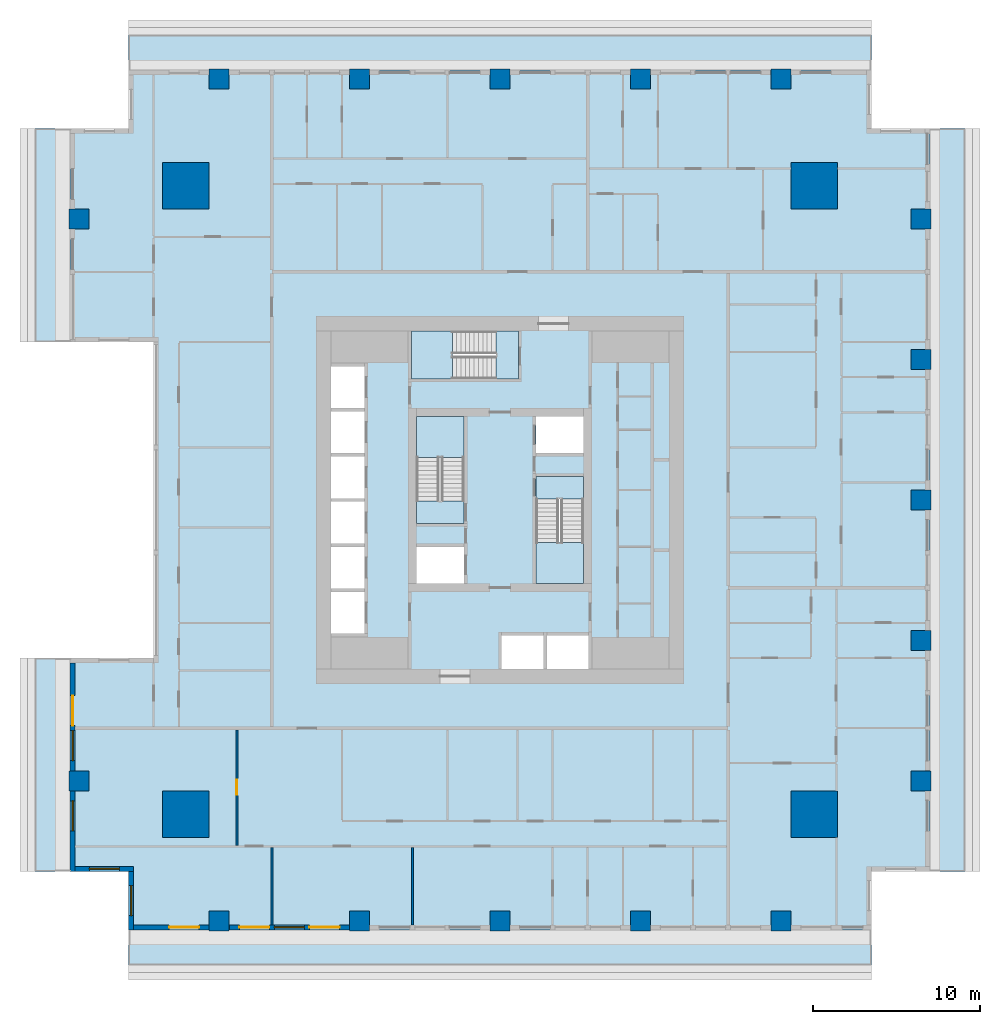
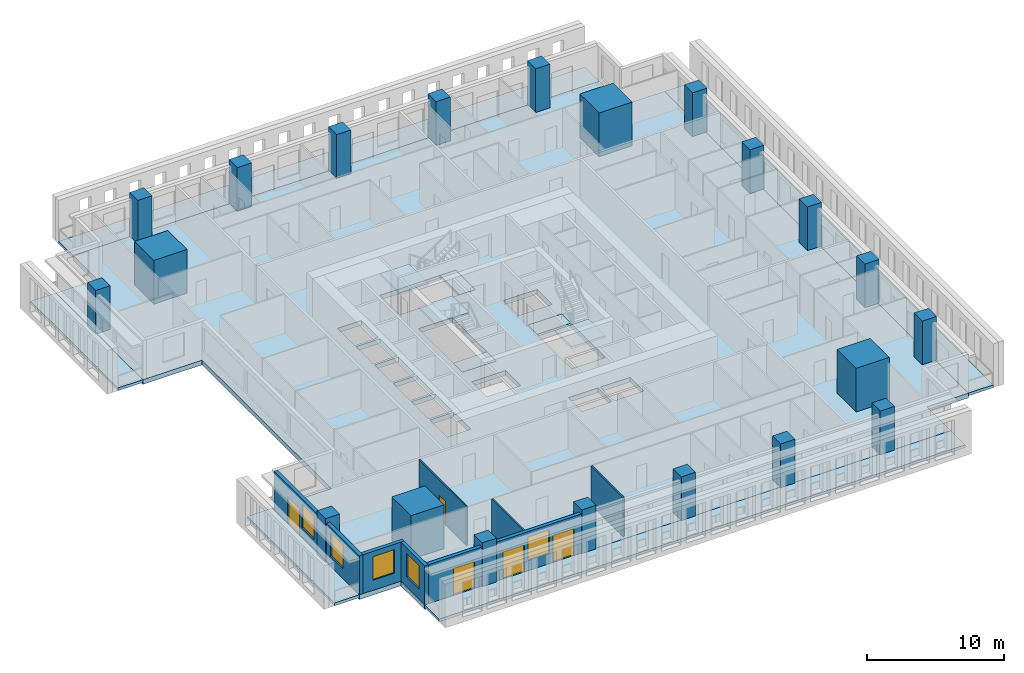
# One storey, part 1 of 14: 21 columns, 12 slabs, 9 walls, 5 doors, 5 windows, 10 openings, 3 elements without a shape of their own.
"""IFC4 building model written with IfcOpenShell, lengths in metres."""

from ifc_helpers import new_model, si_unit, direction, frame, frame_2d, origin, origin_2d, place, context, subcontext, project, spatial, polyline, rectangle, outline, extrude, material, layer, layer_set, material_profile, profile_set, type_object, element, fill, aggregate, save


model = new_model("IFC4")

# Units and contexts
model_context = context("Model", 3, precision=1e-05, world=origin(), true_north=direction((0.0, 1.0)))
body_context = subcontext(model_context, "Body", "Model", "MODEL_VIEW")
ifc_project = project(units=[si_unit("LENGTHUNIT", "METRE"), si_unit("AREAUNIT", "SQUARE_METRE"), si_unit("VOLUMEUNIT", "CUBIC_METRE"), si_unit("PLANEANGLEUNIT", "RADIAN"), si_unit("MASSUNIT", "GRAM", prefix="KILO")], contexts=[model_context])

# Site, building, storey
site_placement = place(None, origin())
site = spatial("IfcSite", under=ifc_project, at=site_placement, CompositionType="ELEMENT")
building_placement = place(site_placement, origin())
building = spatial("IfcBuilding", under=site, at=building_placement, Name="Khepri Terraces", CompositionType="ELEMENT")
storey_placement = place(building_placement, frame((0.0, 0.0, 106.5)))
storey = spatial("IfcBuildingStorey", under=building, at=storey_placement, Name="L25", CompositionType="ELEMENT", Elevation=106.5)

# Columns
ifc_material_1 = material(Name="Concrete C70/85", Category="concrete")
ifc_material_profile_1 = material_profile(ifc_material_1, rectangle(XDim=2.800048828125, YDim=2.800048828125, at=origin_2d()), Name="Concrete C70/85", Category="concrete")
ifc_profile_set_1 = profile_set([ifc_material_profile_1], Name="Concrete C70/85")
column_type_1 = type_object("IfcColumnType", Name="Mega column RC 2800x2800 C70/85", PredefinedType="COLUMN", material=ifc_profile_set_1)
for number, where, z_axis, x_axis, name in (
    (1, (18.800048828125, 18.800048828125, 0.0), (0.0, 0.0, 1.0), (1.0, 0.0, 0.0), "Mega column MEN L25"),
    (2, (18.800048828125, -18.800048828125, 0.0), (0.0, 0.0, 1.0), (1.0, 0.0, 0.0), "Mega column MES L25"),
    (3, (-18.800048828125, 18.800048828125, 0.0), (0.0, 0.0, 1.0), (1.0, 0.0, 0.0), "Mega column MWN L25"),
    (4, (-18.800048828125, -18.800048828125, 0.0), (0.0, 0.0, 1.0), (1.0, 0.0, 0.0), "Mega column MWS L25"),
):
    element("IfcColumn", number, at=place(storey_placement, frame(where, z_axis=z_axis, x_axis=x_axis)), inside=storey, type_object=column_type_1, Name=name, PredefinedType="COLUMN", context=body_context, shape_type="SweptSolid", body=[
        extrude(rectangle(XDim=2.800048828125, YDim=2.800048828125, at=origin_2d()), origin(), (0.0, 0.0, 1.0), 3.89990234375),
    ])
ifc_material_profile_2 = material_profile(ifc_material_1, rectangle(XDim=1.199951171875, YDim=1.199951171875, at=origin_2d()), Name="Concrete C70/85", Category="concrete")
ifc_profile_set_2 = profile_set([ifc_material_profile_2], Name="Concrete C70/85")
column_type_2 = type_object("IfcColumnType", Name="Tower column RC 1200x1200 C70/85", PredefinedType="COLUMN", material=ifc_profile_set_2)
for number, where, z_axis, x_axis, name in (
    (5, (25.199951171875, 0.0, 0.0), (0.0, 0.0, 1.0), (1.0, 0.0, 0.0), "Perimeter column PE+000a L25"),
    (6, (25.199951171875, 8.39990234375, 0.0), (0.0, 0.0, 1.0), (1.0, 0.0, 0.0), "Perimeter column PE+084a L25"),
    (7, (25.199951171875, 16.800048828125, 0.0), (0.0, 0.0, 1.0), (1.0, 0.0, 0.0), "Perimeter column PE+168a L25"),
    (8, (25.199951171875, -8.39990234375, 0.0), (0.0, 0.0, 1.0), (1.0, 0.0, 0.0), "Perimeter column PE-084a L25"),
    (9, (25.199951171875, -16.800048828125, 0.0), (0.0, 0.0, 1.0), (1.0, 0.0, 0.0), "Perimeter column PE-168a L25"),
    (10, (0.0, 25.199951171875, 0.0), (0.0, 0.0, 1.0), (1.0, 0.0, 0.0), "Perimeter column PN+000a L25"),
    (11, (-8.39990234375, 25.199951171875, 0.0), (0.0, 0.0, 1.0), (1.0, 0.0, 0.0), "Perimeter column PN+084a L25"),
    (12, (-16.800048828125, 25.199951171875, 0.0), (0.0, 0.0, 1.0), (1.0, 0.0, 0.0), "Perimeter column PN+168a L25"),
    (13, (8.39990234375, 25.199951171875, 0.0), (0.0, 0.0, 1.0), (1.0, 0.0, 0.0), "Perimeter column PN-084a L25"),
    (14, (16.800048828125, 25.199951171875, 0.0), (0.0, 0.0, 1.0), (1.0, 0.0, 0.0), "Perimeter column PN-168a L25"),
    (15, (0.0, -25.199951171875, 0.0), (0.0, 0.0, 1.0), (1.0, 0.0, 0.0), "Perimeter column PS+000b L25"),
    (16, (8.39990234375, -25.199951171875, 0.0), (0.0, 0.0, 1.0), (1.0, 0.0, 0.0), "Perimeter column PS+084b L25"),
    (17, (16.800048828125, -25.199951171875, 0.0), (0.0, 0.0, 1.0), (1.0, 0.0, 0.0), "Perimeter column PS+168a L25"),
    (18, (-8.39990234375, -25.199951171875, 0.0), (0.0, 0.0, 1.0), (1.0, 0.0, 0.0), "Perimeter column PS-084b L25"),
    (19, (-16.800048828125, -25.199951171875, 0.0), (0.0, 0.0, 1.0), (1.0, 0.0, 0.0), "Perimeter column PS-168a L25"),
    (20, (-25.199951171875, -16.800048828125, 0.0), (0.0, 0.0, 1.0), (1.0, 0.0, 0.0), "Perimeter column PW+168a L25"),
    (21, (-25.199951171875, 16.800048828125, 0.0), (0.0, 0.0, 1.0), (1.0, 0.0, 0.0), "Perimeter column PW-168a L25"),
):
    element("IfcColumn", number, at=place(storey_placement, frame(where, z_axis=z_axis, x_axis=x_axis)), inside=storey, type_object=column_type_2, Name=name, PredefinedType="COLUMN", context=body_context, shape_type="SweptSolid", body=[
        extrude(rectangle(XDim=1.199951171875, YDim=1.199951171875, at=origin_2d()), origin(), (0.0, 0.0, 1.0), 3.89990234375),
    ])

# Slabs
ifc_material_2 = material(Name="Concrete C40/50", Category="concrete")
ifc_layer_1 = layer(ifc_material_2, 0.419921875, Name="Concrete C40/50", Category="concrete")
ifc_layer_set_1 = layer_set([ifc_layer_1], Name="Concrete C40/50")
slab_type_1 = type_object("IfcSlabType", Name="Flat plate 420", PredefinedType="FLOOR", material=ifc_layer_set_1)
slab_1_placement = place(storey_placement, frame((0.0, 0.0, -0.419921875)))
element("IfcSlab", 22, at=slab_1_placement, inside=storey, type_object=slab_type_1, Name="Floor slab F01 L25", PredefinedType="FLOOR", context=body_context, shape_type="SweptSolid", body=[
    extrude(outline(polyline([(22.219970703125, 22.219970703125), (25.719970703125, 22.219970703125), (25.719970703125, -22.219970703125), (22.219970703125, -22.219970703125), (22.219970703125, -25.719970703125), (-22.219970703125, -25.719970703125), (-22.219970703125, -22.219970703125), (-25.719970703125, -22.219970703125), (-25.719970703125, -9.449951171875), (-20.719970703125, -9.449951171875), (-20.719970703125, 9.449951171875), (-25.719970703125, 9.449951171875), (-25.719970703125, 22.219970703125), (-22.219970703125, 22.219970703125), (-22.219970703125, 25.719970703125), (22.219970703125, 25.719970703125), (22.219970703125, 22.219970703125)]), holes=[polyline([(5.0, 5.0), (2.14990234375, 5.0), (2.14990234375, 2.800048828125), (5.0, 2.800048828125), (5.0, 5.0)]), polyline([(-2.14990234375, -5.0), (-2.14990234375, -2.800048828125), (-5.0, -2.800048828125), (-5.0, -5.0), (-2.14990234375, -5.0)]), polyline([(-10.10009765625, -8.0), (-8.10009765625, -8.0), (-8.10009765625, -5.5), (-10.10009765625, -5.5), (-10.10009765625, -8.0)]), polyline([(-10.10009765625, -2.800048828125), (-10.10009765625, -5.300048828125), (-8.10009765625, -5.300048828125), (-8.10009765625, -2.800048828125), (-10.10009765625, -2.800048828125)]), polyline([(-8.10009765625, -0.10009765625), (-10.10009765625, -0.10009765625), (-10.10009765625, -2.60009765625), (-8.10009765625, -2.60009765625), (-8.10009765625, -0.10009765625)]), polyline([(-8.10009765625, 0.10009765625), (-8.10009765625, 2.60009765625), (-10.10009765625, 2.60009765625), (-10.10009765625, 0.10009765625), (-8.10009765625, 0.10009765625)]), polyline([(-10.10009765625, 2.800048828125), (-8.10009765625, 2.800048828125), (-8.10009765625, 5.300048828125), (-10.10009765625, 5.300048828125), (-10.10009765625, 2.800048828125)]), polyline([(-10.10009765625, 8.0), (-10.10009765625, 5.5), (-8.10009765625, 5.5), (-8.10009765625, 8.0), (-10.10009765625, 8.0)]), polyline([(2.60009765625, -8.10009765625), (0.10009765625, -8.10009765625), (0.10009765625, -10.10009765625), (2.60009765625, -10.10009765625), (2.60009765625, -8.10009765625)]), polyline([(5.300048828125, -10.10009765625), (5.300048828125, -8.10009765625), (2.800048828125, -8.10009765625), (2.800048828125, -10.10009765625), (5.300048828125, -10.10009765625)]), polyline([(-5.0, -1.39990234375), (-2.14990234375, -1.39990234375), (-2.14990234375, 5.0), (-5.0, 5.0), (-5.0, -1.39990234375)]), polyline([(5.0, -5.0), (5.0, 1.39990234375), (2.14990234375, 1.39990234375), (2.14990234375, -5.0), (5.0, -5.0)]), polyline([(-5.300048828125, 10.10009765625), (-5.300048828125, 7.25), (1.10009765625, 7.25), (1.10009765625, 10.10009765625), (-5.300048828125, 10.10009765625)])]), origin(), (0.0, 0.0, 1.0), 0.419921875),
])
ifc_material_3 = material(Name="Precast concrete C50/60 warm stone", Category="masonry")
ifc_layer_2 = layer(ifc_material_3, 0.25, Name="Precast concrete C50/60 warm stone", Category="masonry")
ifc_layer_set_2 = layer_set([ifc_layer_2], Name="Precast concrete C50/60 warm stone")
slab_type_2 = type_object("IfcSlabType", Name="SLB-BALCONY-250", PredefinedType="FLOOR", material=ifc_layer_set_2)
slab_2_placement = place(storey_placement, frame((0.0, 0.0, -0.25)))
element("IfcSlab", 23, at=slab_2_placement, inside=storey, type_object=slab_type_2, Name="Balcony slab L25 S", PredefinedType="FLOOR", context=body_context, shape_type="SweptSolid", body=[
    extrude(outline(polyline([(-17.39990234375, -25.719970703125), (-22.219970703125, -25.719970703125), (-22.219970703125, -27.820068359375), (22.219970703125, -27.820068359375), (22.219970703125, -25.719970703125), (17.39990234375, -25.719970703125), (17.39990234375, -25.800048828125), (16.199951171875, -25.800048828125), (16.199951171875, -25.719970703125), (9.0, -25.719970703125), (9.0, -25.800048828125), (7.800048828125, -25.800048828125), (7.800048828125, -25.719970703125), (0.60009765625, -25.719970703125), (0.60009765625, -25.800048828125), (-0.60009765625, -25.800048828125), (-0.60009765625, -25.719970703125), (-7.800048828125, -25.719970703125), (-7.800048828125, -25.800048828125), (-9.0, -25.800048828125), (-9.0, -25.719970703125), (-16.199951171875, -25.719970703125), (-16.199951171875, -25.800048828125), (-17.39990234375, -25.800048828125), (-17.39990234375, -25.719970703125)])), origin(), (0.0, 0.0, 1.0), 0.25),
])
slab_3_placement = place(storey_placement, frame((0.0, 0.0, -0.25)))
element("IfcSlab", 24, at=slab_3_placement, inside=storey, type_object=slab_type_2, Name="Balcony slab L25 E", PredefinedType="FLOOR", context=body_context, shape_type="SweptSolid", body=[
    extrude(outline(polyline([(25.719970703125, -17.39990234375), (25.719970703125, -22.219970703125), (27.820068359375, -22.219970703125), (27.820068359375, 22.219970703125), (25.719970703125, 22.219970703125), (25.719970703125, 17.39990234375), (25.800048828125, 17.39990234375), (25.800048828125, 16.199951171875), (25.719970703125, 16.199951171875), (25.719970703125, 9.0), (25.800048828125, 9.0), (25.800048828125, 7.800048828125), (25.719970703125, 7.800048828125), (25.719970703125, 0.60009765625), (25.800048828125, 0.60009765625), (25.800048828125, -0.60009765625), (25.719970703125, -0.60009765625), (25.719970703125, -7.800048828125), (25.800048828125, -7.800048828125), (25.800048828125, -9.0), (25.719970703125, -9.0), (25.719970703125, -16.199951171875), (25.800048828125, -16.199951171875), (25.800048828125, -17.39990234375), (25.719970703125, -17.39990234375)])), origin(), (0.0, 0.0, 1.0), 0.25),
])
slab_4_placement = place(storey_placement, frame((0.0, 0.0, -0.25)))
element("IfcSlab", 25, at=slab_4_placement, inside=storey, type_object=slab_type_2, Name="Balcony slab L25 N", PredefinedType="FLOOR", context=body_context, shape_type="SweptSolid", body=[
    extrude(outline(polyline([(17.39990234375, 25.719970703125), (22.219970703125, 25.719970703125), (22.219970703125, 27.820068359375), (-22.219970703125, 27.820068359375), (-22.219970703125, 25.719970703125), (-17.39990234375, 25.719970703125), (-17.39990234375, 25.800048828125), (-16.199951171875, 25.800048828125), (-16.199951171875, 25.719970703125), (-9.0, 25.719970703125), (-9.0, 25.800048828125), (-7.800048828125, 25.800048828125), (-7.800048828125, 25.719970703125), (-0.60009765625, 25.719970703125), (-0.60009765625, 25.800048828125), (0.60009765625, 25.800048828125), (0.60009765625, 25.719970703125), (7.800048828125, 25.719970703125), (7.800048828125, 25.800048828125), (9.0, 25.800048828125), (9.0, 25.719970703125), (16.199951171875, 25.719970703125), (16.199951171875, 25.800048828125), (17.39990234375, 25.800048828125), (17.39990234375, 25.719970703125)])), origin(), (0.0, 0.0, 1.0), 0.25),
])
slab_5_placement = place(storey_placement, frame((0.0, 0.0, -0.25)))
element("IfcSlab", 26, at=slab_5_placement, inside=storey, type_object=slab_type_2, Name="Balcony slab L25 W", PredefinedType="FLOOR", context=body_context, shape_type="SweptSolid", body=[
    extrude(outline(polyline([(-25.719970703125, 17.39990234375), (-25.719970703125, 22.219970703125), (-27.820068359375, 22.219970703125), (-27.820068359375, 9.449951171875), (-25.719970703125, 9.449951171875), (-25.719970703125, 16.199951171875), (-25.800048828125, 16.199951171875), (-25.800048828125, 17.39990234375), (-25.719970703125, 17.39990234375)])), origin(), (0.0, 0.0, 1.0), 0.25),
])
slab_6_placement = place(storey_placement, frame((0.0, 0.0, -0.25)))
element("IfcSlab", 27, at=slab_6_placement, inside=storey, type_object=slab_type_2, Name="Balcony slab L25 W", PredefinedType="FLOOR", context=body_context, shape_type="SweptSolid", body=[
    extrude(outline(polyline([(-25.719970703125, -16.199951171875), (-25.719970703125, -9.449951171875), (-27.820068359375, -9.449951171875), (-27.820068359375, -22.219970703125), (-25.719970703125, -22.219970703125), (-25.719970703125, -17.39990234375), (-25.800048828125, -17.39990234375), (-25.800048828125, -16.199951171875), (-25.719970703125, -16.199951171875)])), origin(), (0.0, 0.0, 1.0), 0.25),
])

# Stair, slabs
stair_type = type_object("IfcStairType", Name="STAIR-RC-22R", PredefinedType="HALF_TURN_STAIR", material=ifc_material_2)
stair_1_placement = place(storey_placement, origin())
stair_1 = element("IfcStair", 28, at=stair_1_placement, inside=storey, type_object=stair_type, Name="L25 Exit Stair ST-1", PredefinedType="HALF_TURN_STAIR")
ifc_layer_3 = layer(ifc_material_2, 0.199951171875, Name="Concrete C40/50", Category="concrete")
ifc_layer_set_3 = layer_set([ifc_layer_3], Name="Concrete C40/50")
slab_type_3 = type_object("IfcSlabType", Name="SLB-CORE-LANDING", PredefinedType="LANDING", material=ifc_layer_set_3)
slab_7_placement = place(storey_placement, frame((0.0, 0.0, -0.199951171875)))
slab_7 = element("IfcSlab", 29, at=slab_7_placement, type_object=slab_type_3, Name="ST-1 landing 1", PredefinedType="LANDING", context=body_context, shape_type="SweptSolid", body=[
    extrude(outline(polyline([(-2.14990234375, -1.39990234375), (-2.14990234375, -0.050048828125), (-5.0, -0.050048828125), (-5.0, -1.39990234375), (-2.14990234375, -1.39990234375)])), origin(), (0.0, 0.0, 1.0), 0.199951171875),
])
slab_8_placement = place(storey_placement, frame((0.0, 0.0, 1.75)))
slab_8 = element("IfcSlab", 30, at=slab_8_placement, type_object=slab_type_3, Name="ST-1 landing 2", PredefinedType="LANDING", context=body_context, shape_type="SweptSolid", body=[
    extrude(outline(polyline([(-2.14990234375, 2.550048828125), (-2.14990234375, 5.0), (-5.0, 5.0), (-5.0, 2.550048828125), (-2.14990234375, 2.550048828125)])), origin(), (0.0, 0.0, 1.0), 0.199951171875),
])
aggregate(stair_1, [slab_7, slab_8])

stair_2_placement = place(storey_placement, origin())
stair_2 = element("IfcStair", 31, at=stair_2_placement, inside=storey, type_object=stair_type, Name="L25 Exit Stair ST-2", PredefinedType="HALF_TURN_STAIR")
slab_9_placement = place(storey_placement, frame((0.0, 0.0, -0.199951171875)))
slab_9 = element("IfcSlab", 32, at=slab_9_placement, type_object=slab_type_3, Name="ST-2 landing 1", PredefinedType="LANDING", context=body_context, shape_type="SweptSolid", body=[
    extrude(outline(polyline([(2.14990234375, 1.39990234375), (2.14990234375, 0.050048828125), (5.0, 0.050048828125), (5.0, 1.39990234375), (2.14990234375, 1.39990234375)])), origin(), (0.0, 0.0, 1.0), 0.199951171875),
])
slab_10_placement = place(storey_placement, frame((0.0, 0.0, 1.75)))
slab_10 = element("IfcSlab", 33, at=slab_10_placement, type_object=slab_type_3, Name="ST-2 landing 2", PredefinedType="LANDING", context=body_context, shape_type="SweptSolid", body=[
    extrude(outline(polyline([(2.14990234375, -2.550048828125), (2.14990234375, -5.0), (5.0, -5.0), (5.0, -2.550048828125), (2.14990234375, -2.550048828125)])), origin(), (0.0, 0.0, 1.0), 0.199951171875),
])
aggregate(stair_2, [slab_9, slab_10])

stair_3_placement = place(storey_placement, origin())
stair_3 = element("IfcStair", 34, at=stair_3_placement, inside=storey, type_object=stair_type, Name="L25 Exit Stair ST-3", PredefinedType="HALF_TURN_STAIR")
slab_11_placement = place(storey_placement, frame((0.0, 0.0, -0.199951171875)))
slab_11 = element("IfcSlab", 35, at=slab_11_placement, type_object=slab_type_3, Name="ST-3 landing 1", PredefinedType="LANDING", context=body_context, shape_type="SweptSolid", body=[
    extrude(outline(polyline([(1.10009765625, 10.10009765625), (-0.25, 10.10009765625), (-0.25, 7.25), (1.10009765625, 7.25), (1.10009765625, 10.10009765625)])), origin(), (0.0, 0.0, 1.0), 0.199951171875),
])
slab_12_placement = place(storey_placement, frame((0.0, 0.0, 1.75)))
slab_12 = element("IfcSlab", 36, at=slab_12_placement, type_object=slab_type_3, Name="ST-3 landing 2", PredefinedType="LANDING", context=body_context, shape_type="SweptSolid", body=[
    extrude(outline(polyline([(-2.85009765625, 10.10009765625), (-5.300048828125, 10.10009765625), (-5.300048828125, 7.25), (-2.85009765625, 7.25), (-2.85009765625, 10.10009765625)])), origin(), (0.0, 0.0, 1.0), 0.199951171875),
])
aggregate(stair_3, [slab_11, slab_12])

# Wall, openings, door, window
ifc_layer_4 = layer(ifc_material_3, 0.300048828125, Name="Precast concrete C50/60 warm stone", Category="masonry")
ifc_layer_set_4 = layer_set([ifc_layer_4], Name="Precast concrete C50/60 warm stone")
wall_type_1 = type_object("IfcWallType", Name="WL-EXT-PRECAST-300", PredefinedType="STANDARD", material=ifc_layer_set_4)
wall_1_placement = place(storey_placement, frame((-25.570068359375, -9.75, 0.0), z_axis=(0.0, 0.0, 1.0), x_axis=(0.0, -1.0, 0.0)))
wall_1 = element("IfcWall", 37, at=wall_1_placement, inside=storey, type_object=wall_type_1, Name="External wall L25 W", PredefinedType="STANDARD", context=body_context, shape_type="SweptSolid", body=[
    extrude(rectangle(XDim=6.449951171875, YDim=0.300048828125, at=frame_2d((3.22509765625, 0.0))), origin(), (0.0, 0.0, 1.0), 3.47998046875),
])
opening_1_placement = place(wall_1_placement, frame((1.949951171875, 0.0, 0.0)))
opening_1 = element("IfcOpeningElement", 38, at=opening_1_placement, cuts=wall_1, Name="Opening ED-L25-15", PredefinedType="OPENING", context=body_context, shape_type="SweptSolid", body=[
    extrude(rectangle(XDim=1.800048828125, YDim=2.39990234375, at=frame_2d((0.89990234375, 1.199951171875))), frame((0.0, 0.16015625, 0.0), z_axis=(0.0, -1.0, 0.0), x_axis=(1.0, 0.0, 0.0)), (0.0, 0.0, 1.0), 0.320068359375),
])
opening_2_placement = place(wall_1_placement, frame((4.050048828125, 0.0, 0.89990234375)))
opening_2 = element("IfcOpeningElement", 39, at=opening_2_placement, cuts=wall_1, Name="Opening W1", PredefinedType="OPENING", context=body_context, shape_type="SweptSolid", body=[
    extrude(rectangle(XDim=1.800048828125, YDim=2.10009765625, at=frame_2d((0.89990234375, 1.050048828125))), frame((0.0, 0.16015625, 0.0), z_axis=(0.0, -1.0, 0.0), x_axis=(1.0, 0.0, 0.0)), (0.0, 0.0, 1.0), 0.320068359375),
])
ifc_material_4 = material(Name="Anodised aluminium bronze glazed door", Category="aluminium")
door_type_1 = type_object("IfcDoorType", Name="DR-BAL-SLIDE-1800x2400", OperationType="NOTDEFINED", PredefinedType="DOOR", material=ifc_material_4)
door_1_placement = place(opening_1_placement, origin())
door_1 = element("IfcDoor", 40, at=door_1_placement, inside=storey, type_object=door_type_1, Name="Balcony door L25 W", OperationType="SLIDING_TO_RIGHT", OverallHeight=2.39990234375, OverallWidth=1.800048828125, PredefinedType="DOOR", context=body_context, shape_type="SweptSolid", body=[
    extrude(rectangle(XDim=1.800048828125, YDim=2.39990234375, at=frame_2d((0.89990234375, 1.199951171875))), frame((0.0, 0.02490234375, 0.0), z_axis=(0.0, -1.0, 0.0), x_axis=(1.0, 0.0, 0.0)), (0.0, 0.0, 1.0), 0.050048828125),
])
fill(opening_1, door_1)
ifc_material_5 = material(Name="Clear glass", Category="glass")
window_type = type_object("IfcWindowType", Name="WIN-RES-1800x2100", PartitioningType="SINGLE_PANEL", PredefinedType="WINDOW", material=ifc_material_5)
window_1_placement = place(opening_2_placement, origin())
window_1 = element("IfcWindow", 41, at=window_1_placement, inside=storey, type_object=window_type, Name="Window L25 W", OverallHeight=2.10009765625, OverallWidth=1.800048828125, PartitioningType="SINGLE_PANEL", PredefinedType="WINDOW", context=body_context, shape_type="SweptSolid", body=[
    extrude(rectangle(XDim=1.800048828125, YDim=2.10009765625, at=frame_2d((0.89990234375, 1.050048828125))), frame((0.0, 0.030029296875, 0.0), z_axis=(0.0, -1.0, 0.0), x_axis=(1.0, 0.0, 0.0)), (0.0, 0.0, 1.0), 0.06005859375),
])
fill(opening_2, window_1)

# Wall, opening, window
wall_2_placement = place(storey_placement, frame((-25.570068359375, -17.39990234375, 0.0), z_axis=(0.0, 0.0, 1.0), x_axis=(0.0, -1.0, 0.0)))
wall_2 = element("IfcWall", 42, at=wall_2_placement, inside=storey, type_object=wall_type_1, Name="External wall L25 W", PredefinedType="STANDARD", context=body_context, shape_type="SweptSolid", body=[
    extrude(rectangle(XDim=4.820068359375, YDim=0.300048828125, at=frame_2d((2.41015625, 0.0))), origin(), (0.0, 0.0, 1.0), 3.47998046875),
])
opening_3_placement = place(wall_2_placement, frame((0.60009765625, 0.0, 0.89990234375)))
opening_3 = element("IfcOpeningElement", 43, at=opening_3_placement, cuts=wall_2, Name="Opening W1", PredefinedType="OPENING", context=body_context, shape_type="SweptSolid", body=[
    extrude(rectangle(XDim=1.800048828125, YDim=2.10009765625, at=frame_2d((0.89990234375, 1.050048828125))), frame((0.0, 0.16015625, 0.0), z_axis=(0.0, -1.0, 0.0), x_axis=(1.0, 0.0, 0.0)), (0.0, 0.0, 1.0), 0.320068359375),
])
window_2_placement = place(opening_3_placement, origin())
window_2 = element("IfcWindow", 44, at=window_2_placement, inside=storey, type_object=window_type, Name="Window L25 W", OverallHeight=2.10009765625, OverallWidth=1.800048828125, PartitioningType="SINGLE_PANEL", PredefinedType="WINDOW", context=body_context, shape_type="SweptSolid", body=[
    extrude(rectangle(XDim=1.800048828125, YDim=2.10009765625, at=frame_2d((0.89990234375, 1.050048828125))), frame((0.0, 0.030029296875, 0.0), z_axis=(0.0, -1.0, 0.0), x_axis=(1.0, 0.0, 0.0)), (0.0, 0.0, 1.0), 0.06005859375),
])
fill(opening_3, window_2)

wall_3_placement = place(storey_placement, frame((-25.419921875, -22.070068359375, 0.0), z_axis=(0.0, 0.0, 1.0), x_axis=(1.0, 0.0, 0.0)))
wall_3 = element("IfcWall", 45, at=wall_3_placement, inside=storey, type_object=wall_type_1, Name="External wall L25 S", PredefinedType="STANDARD", context=body_context, shape_type="SweptSolid", body=[
    extrude(rectangle(XDim=3.5, YDim=0.300048828125, at=frame_2d((1.75, 0.0))), origin(), (0.0, 0.0, 1.0), 3.47998046875),
])
opening_4_placement = place(wall_3_placement, frame((0.85009765625, 0.0, 0.89990234375)))
opening_4 = element("IfcOpeningElement", 46, at=opening_4_placement, cuts=wall_3, Name="Opening W1", PredefinedType="OPENING", context=body_context, shape_type="SweptSolid", body=[
    extrude(rectangle(XDim=1.800048828125, YDim=2.10009765625, at=frame_2d((0.89990234375, 1.050048828125))), frame((0.0, 0.16015625, 0.0), z_axis=(0.0, -1.0, 0.0), x_axis=(1.0, 0.0, 0.0)), (0.0, 0.0, 1.0), 0.320068359375),
])
window_3_placement = place(opening_4_placement, origin())
window_3 = element("IfcWindow", 47, at=window_3_placement, inside=storey, type_object=window_type, Name="Window L25 S", OverallHeight=2.10009765625, OverallWidth=1.800048828125, PartitioningType="SINGLE_PANEL", PredefinedType="WINDOW", context=body_context, shape_type="SweptSolid", body=[
    extrude(rectangle(XDim=1.800048828125, YDim=2.10009765625, at=frame_2d((0.89990234375, 1.050048828125))), frame((0.0, 0.030029296875, 0.0), z_axis=(0.0, -1.0, 0.0), x_axis=(1.0, 0.0, 0.0)), (0.0, 0.0, 1.0), 0.06005859375),
])
fill(opening_4, window_3)

wall_4_placement = place(storey_placement, frame((-22.070068359375, -22.219970703125, 0.0), z_axis=(0.0, 0.0, 1.0), x_axis=(0.0, -1.0, 0.0)))
wall_4 = element("IfcWall", 48, at=wall_4_placement, inside=storey, type_object=wall_type_1, Name="External wall L25 W", PredefinedType="STANDARD", context=body_context, shape_type="SweptSolid", body=[
    extrude(rectangle(XDim=3.5, YDim=0.300048828125, at=frame_2d((1.75, 0.0))), origin(), (0.0, 0.0, 1.0), 3.47998046875),
])
opening_5_placement = place(wall_4_placement, frame((0.85009765625, 0.0, 0.89990234375)))
opening_5 = element("IfcOpeningElement", 49, at=opening_5_placement, cuts=wall_4, Name="Opening W1", PredefinedType="OPENING", context=body_context, shape_type="SweptSolid", body=[
    extrude(rectangle(XDim=1.800048828125, YDim=2.10009765625, at=frame_2d((0.89990234375, 1.050048828125))), frame((0.0, 0.16015625, 0.0), z_axis=(0.0, -1.0, 0.0), x_axis=(1.0, 0.0, 0.0)), (0.0, 0.0, 1.0), 0.320068359375),
])
window_4_placement = place(opening_5_placement, origin())
window_4 = element("IfcWindow", 50, at=window_4_placement, inside=storey, type_object=window_type, Name="Window L25 W", OverallHeight=2.10009765625, OverallWidth=1.800048828125, PartitioningType="SINGLE_PANEL", PredefinedType="WINDOW", context=body_context, shape_type="SweptSolid", body=[
    extrude(rectangle(XDim=1.800048828125, YDim=2.10009765625, at=frame_2d((0.89990234375, 1.050048828125))), frame((0.0, 0.030029296875, 0.0), z_axis=(0.0, -1.0, 0.0), x_axis=(1.0, 0.0, 0.0)), (0.0, 0.0, 1.0), 0.06005859375),
])
fill(opening_5, window_4)

# Wall, opening, door
wall_5_placement = place(storey_placement, frame((-21.919921875, -25.570068359375, 0.0), z_axis=(0.0, 0.0, 1.0), x_axis=(1.0, 0.0, 0.0)))
wall_5 = element("IfcWall", 51, at=wall_5_placement, inside=storey, type_object=wall_type_1, Name="External wall L25 S", PredefinedType="STANDARD", context=body_context, shape_type="SweptSolid", body=[
    extrude(rectangle(XDim=4.52001953125, YDim=0.300048828125, at=frame_2d((2.260009765625, 0.0))), origin(), (0.0, 0.0, 1.0), 3.47998046875),
])
opening_6_placement = place(wall_5_placement, frame((2.1201171875, 0.0, 0.0)))
opening_6 = element("IfcOpeningElement", 52, at=opening_6_placement, cuts=wall_5, Name="Opening ED-L25-16", PredefinedType="OPENING", context=body_context, shape_type="SweptSolid", body=[
    extrude(rectangle(XDim=1.800048828125, YDim=2.39990234375, at=frame_2d((0.89990234375, 1.199951171875))), frame((0.0, 0.16015625, 0.0), z_axis=(0.0, -1.0, 0.0), x_axis=(1.0, 0.0, 0.0)), (0.0, 0.0, 1.0), 0.320068359375),
])
door_2_placement = place(opening_6_placement, origin())
door_2 = element("IfcDoor", 53, at=door_2_placement, inside=storey, type_object=door_type_1, Name="Balcony door L25 S", OperationType="SLIDING_TO_RIGHT", OverallHeight=2.39990234375, OverallWidth=1.800048828125, PredefinedType="DOOR", context=body_context, shape_type="SweptSolid", body=[
    extrude(rectangle(XDim=1.800048828125, YDim=2.39990234375, at=frame_2d((0.89990234375, 1.199951171875))), frame((0.0, 0.02490234375, 0.0), z_axis=(0.0, -1.0, 0.0), x_axis=(1.0, 0.0, 0.0)), (0.0, 0.0, 1.0), 0.050048828125),
])
fill(opening_6, door_2)

# Wall, openings, doors, window
wall_6_placement = place(storey_placement, frame((-16.199951171875, -25.570068359375, 0.0), z_axis=(0.0, 0.0, 1.0), x_axis=(1.0, 0.0, 0.0)))
wall_6 = element("IfcWall", 54, at=wall_6_placement, inside=storey, type_object=wall_type_1, Name="External wall L25 S", PredefinedType="STANDARD", context=body_context, shape_type="SweptSolid", body=[
    extrude(rectangle(XDim=7.199951171875, YDim=0.300048828125, at=frame_2d((3.60009765625, 0.0))), origin(), (0.0, 0.0, 1.0), 3.47998046875),
])
opening_7_placement = place(wall_6_placement, frame((0.60009765625, 0.0, 0.0)))
opening_7 = element("IfcOpeningElement", 55, at=opening_7_placement, cuts=wall_6, Name="Opening ED-L25-17", PredefinedType="OPENING", context=body_context, shape_type="SweptSolid", body=[
    extrude(rectangle(XDim=1.800048828125, YDim=2.39990234375, at=frame_2d((0.89990234375, 1.199951171875))), frame((0.0, 0.16015625, 0.0), z_axis=(0.0, -1.0, 0.0), x_axis=(1.0, 0.0, 0.0)), (0.0, 0.0, 1.0), 0.320068359375),
])
opening_8_placement = place(wall_6_placement, frame((2.699951171875, 0.0, 0.89990234375)))
opening_8 = element("IfcOpeningElement", 56, at=opening_8_placement, cuts=wall_6, Name="Opening W1", PredefinedType="OPENING", context=body_context, shape_type="SweptSolid", body=[
    extrude(rectangle(XDim=1.800048828125, YDim=2.10009765625, at=frame_2d((0.89990234375, 1.050048828125))), frame((0.0, 0.16015625, 0.0), z_axis=(0.0, -1.0, 0.0), x_axis=(1.0, 0.0, 0.0)), (0.0, 0.0, 1.0), 0.320068359375),
])
opening_9_placement = place(wall_6_placement, frame((4.800048828125, 0.0, 0.0)))
opening_9 = element("IfcOpeningElement", 57, at=opening_9_placement, cuts=wall_6, Name="Opening ED-L25-18", PredefinedType="OPENING", context=body_context, shape_type="SweptSolid", body=[
    extrude(rectangle(XDim=1.800048828125, YDim=2.39990234375, at=frame_2d((0.89990234375, 1.199951171875))), frame((0.0, 0.16015625, 0.0), z_axis=(0.0, -1.0, 0.0), x_axis=(1.0, 0.0, 0.0)), (0.0, 0.0, 1.0), 0.320068359375),
])
door_3_placement = place(opening_7_placement, origin())
door_3 = element("IfcDoor", 58, at=door_3_placement, inside=storey, type_object=door_type_1, Name="Balcony door L25 S", OperationType="SLIDING_TO_LEFT", OverallHeight=2.39990234375, OverallWidth=1.800048828125, PredefinedType="DOOR", context=body_context, shape_type="SweptSolid", body=[
    extrude(rectangle(XDim=1.800048828125, YDim=2.39990234375, at=frame_2d((0.89990234375, 1.199951171875))), frame((0.0, 0.02490234375, 0.0), z_axis=(0.0, -1.0, 0.0), x_axis=(1.0, 0.0, 0.0)), (0.0, 0.0, 1.0), 0.050048828125),
])
fill(opening_7, door_3)
door_4_placement = place(opening_9_placement, origin())
door_4 = element("IfcDoor", 59, at=door_4_placement, inside=storey, type_object=door_type_1, Name="Balcony door L25 S", OperationType="SLIDING_TO_RIGHT", OverallHeight=2.39990234375, OverallWidth=1.800048828125, PredefinedType="DOOR", context=body_context, shape_type="SweptSolid", body=[
    extrude(rectangle(XDim=1.800048828125, YDim=2.39990234375, at=frame_2d((0.89990234375, 1.199951171875))), frame((0.0, 0.02490234375, 0.0), z_axis=(0.0, -1.0, 0.0), x_axis=(1.0, 0.0, 0.0)), (0.0, 0.0, 1.0), 0.050048828125),
])
fill(opening_9, door_4)
window_5_placement = place(opening_8_placement, origin())
window_5 = element("IfcWindow", 60, at=window_5_placement, inside=storey, type_object=window_type, Name="Window L25 S", OverallHeight=2.10009765625, OverallWidth=1.800048828125, PartitioningType="SINGLE_PANEL", PredefinedType="WINDOW", context=body_context, shape_type="SweptSolid", body=[
    extrude(rectangle(XDim=1.800048828125, YDim=2.10009765625, at=frame_2d((0.89990234375, 1.050048828125))), frame((0.0, 0.030029296875, 0.0), z_axis=(0.0, -1.0, 0.0), x_axis=(1.0, 0.0, 0.0)), (0.0, 0.0, 1.0), 0.06005859375),
])
fill(opening_8, window_5)

# Walls
ifc_material_6 = material(Name="Gypsum plasterboard partition")
ifc_layer_5 = layer(ifc_material_6, 0.1201171875, Name="Gypsum plasterboard partition")
ifc_layer_set_5 = layer_set([ifc_layer_5], Name="Gypsum plasterboard partition")
wall_type_2 = type_object("IfcWallType", Name="WL-PART-120", PredefinedType="PARTITIONING", material=ifc_layer_set_5)
for number, where, z_axis, x_axis, name in (
    (61, (-13.64990234375, -25.419921875, 0.0), (0.0, 0.0, 1.0), (0.0, 1.0, 0.0), "Partition P-001 L25"),
    (62, (-5.25, -25.419921875, 0.0), (0.0, 0.0, 1.0), (0.0, 1.0, 0.0), "Partition P-002 L25"),
):
    element("IfcWall", number, at=place(storey_placement, frame(where, z_axis=z_axis, x_axis=x_axis)), inside=storey, type_object=wall_type_2, Name=name, PredefinedType="PARTITIONING", context=body_context, shape_type="SweptSolid", body=[
        extrude(rectangle(XDim=4.639892578125, YDim=0.1201171875, at=frame_2d((2.31982421875, 0.0))), origin(), (0.0, 0.0, 1.0), 3.47998046875),
    ])

# Wall, opening, door
wall_7_placement = place(storey_placement, frame((-15.75, -20.659912109375, 0.0), z_axis=(0.0, 0.0, 1.0), x_axis=(0.0, 1.0, 0.0)))
wall_7 = element("IfcWall", 63, at=wall_7_placement, inside=storey, type_object=wall_type_2, Name="Partition P-010 L25", PredefinedType="PARTITIONING", context=body_context, shape_type="SweptSolid", body=[
    extrude(rectangle(XDim=6.909912109375, YDim=0.1201171875, at=frame_2d((3.455078125, 0.0))), origin(), (0.0, 0.0, 1.0), 3.47998046875),
])
opening_10_placement = place(wall_7_placement, frame((3.02490234375, 0.0, 0.0)))
opening_10 = element("IfcOpeningElement", 64, at=opening_10_placement, cuts=wall_7, Name="Opening D3", PredefinedType="OPENING", context=body_context, shape_type="SweptSolid", body=[
    extrude(rectangle(XDim=0.89990234375, YDim=2.10009765625, at=frame_2d((0.449951171875, 1.050048828125))), frame((0.0, 0.070068359375, 0.0), z_axis=(0.0, -1.0, 0.0), x_axis=(1.0, 0.0, 0.0)), (0.0, 0.0, 1.0), 0.14013671875),
])
ifc_material_7 = material(Name="Timber door leaf", Category="wood")
door_type_2 = type_object("IfcDoorType", Name="DR-INT-900", OperationType="NOTDEFINED", PredefinedType="DOOR", material=ifc_material_7)
door_5_placement = place(opening_10_placement, origin())
door_5 = element("IfcDoor", 65, at=door_5_placement, inside=storey, type_object=door_type_2, Name="Door Home Cinema", OperationType="SINGLE_SWING_RIGHT", OverallHeight=2.10009765625, OverallWidth=0.89990234375, PredefinedType="DOOR", context=body_context, shape_type="SweptSolid", body=[
    extrude(rectangle(XDim=0.89990234375, YDim=2.10009765625, at=frame_2d((0.449951171875, 1.050048828125))), frame((0.0, 0.02490234375, 0.0), z_axis=(0.0, -1.0, 0.0), x_axis=(1.0, 0.0, 0.0)), (0.0, 0.0, 1.0), 0.050048828125),
])
fill(opening_10, door_5)

save(model, "model.ifc")
